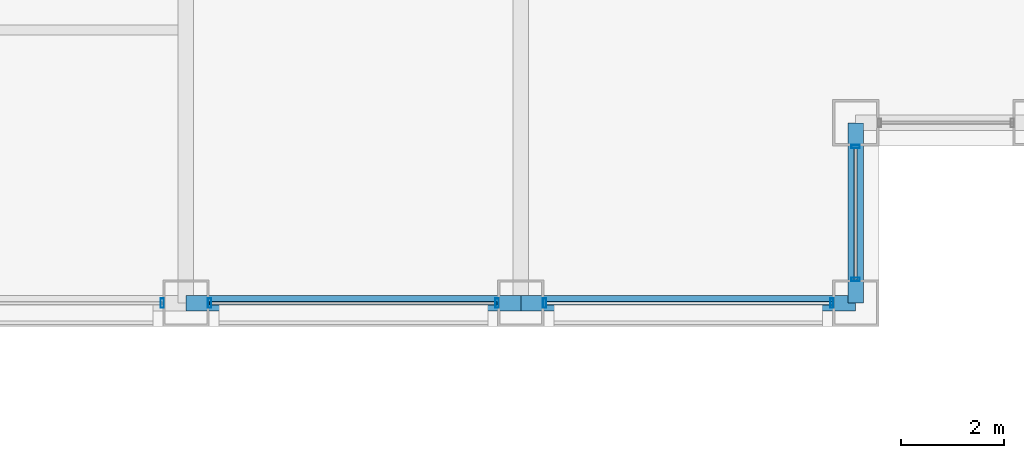
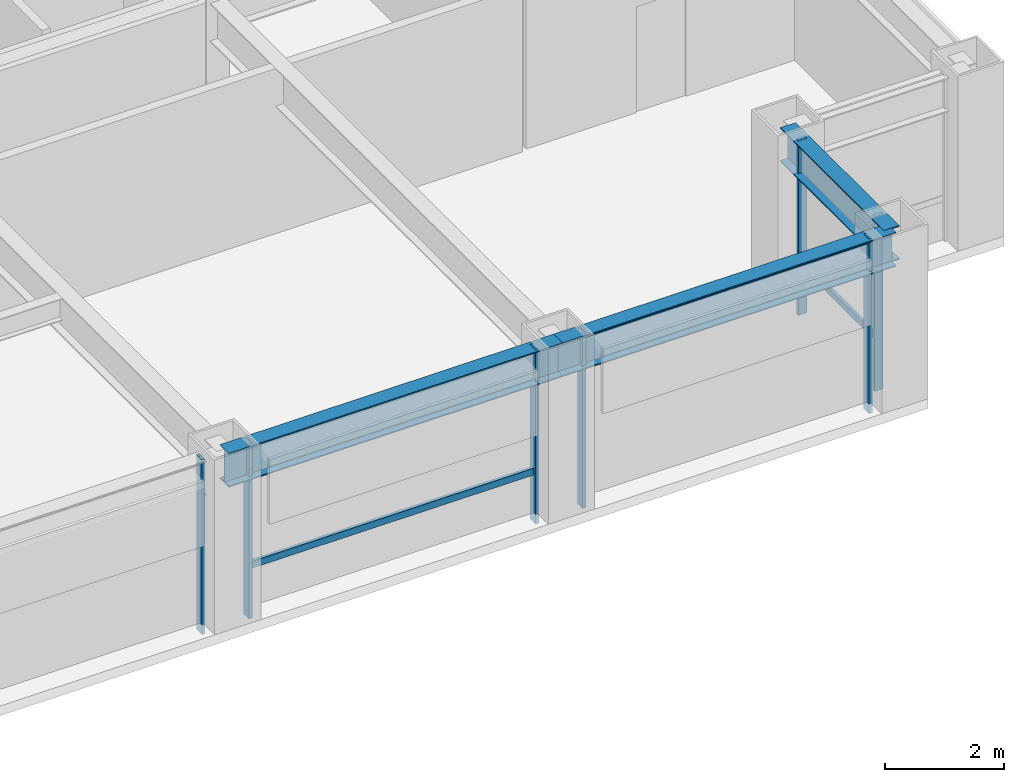
# One storey, part 8 of 28: 10 members, 3 beams, 4 elements without a shape of their own.
"""IFC4 building model written with IfcOpenShell, lengths in metres."""

import ifcopenshell
import ifcopenshell.guid

model = None  # the IFC model being written
_history = None  # IfcOwnerHistory: only IFC2X3 demands one
_inside = {}  # id of a spatial element -> (the spatial element, [elements in it])
_under = {}  # id of a project, library or spatial element -> (it, [spatial elements below it])
_declared = {}  # id of a project -> (the project, [libraries it declares])
_typed = {}  # id of a type object -> (the type object, [elements of that type])
_made_of = {}  # id of a material, layer set ... -> (it, [elements and type objects made of it])


def new_model(schema):
    """Start an empty IFC model of exactly this schema.

    Asked for "IFC4X3", IfcOpenShell would pick the latest addendum, in which some entities
    have other attributes; the version numbers below select the first issue.
    IFC2X3 requires an IfcOwnerHistory on every rooted entity: one is made here for all.
    """
    global model, _history
    if schema == "IFC4X3":
        model = ifcopenshell.file(schema_version=(4, 3, 0, 0))
    else:
        model = ifcopenshell.file(schema=schema)
    _inside.clear()
    _under.clear()
    _declared.clear()
    _typed.clear()
    _made_of.clear()
    _history = None
    if model.schema == "IFC2X3":
        org = make("IfcOrganization", Name="unknown")
        user = make(
            "IfcPersonAndOrganization",
            ThePerson=make("IfcPerson", FamilyName="unknown"),
            TheOrganization=org,
        )
        app = make(
            "IfcApplication",
            ApplicationDeveloper=org,
            Version="unknown",
            ApplicationFullName="unknown",
            ApplicationIdentifier="unknown",
        )
        _history = make(
            "IfcOwnerHistory",
            OwningUser=user,
            OwningApplication=app,
            ChangeAction="ADDED",
            CreationDate=0,
        )
    return model


def make(cls, **values):
    """One entity of the class cls with the attributes given. An attribute that is None is left unset."""
    return model.create_entity(
        cls, **{name: value for name, value in values.items() if value is not None}
    )


def rooted(cls, **values):
    """An entity with a GlobalId (a new one), such as an element, a storey or a relation."""
    return make(cls, GlobalId=ifcopenshell.guid.new(), OwnerHistory=_history, **values)


def si_unit(unit_type, name, prefix=None):
    """IfcSIUnit, for example si_unit("LENGTHUNIT", "METRE", prefix="MILLI")."""
    return make("IfcSIUnit", UnitType=unit_type, Prefix=prefix, Name=name)


def assignment(units):
    """IfcUnitAssignment: the units of a project."""
    return None if units is None else make("IfcUnitAssignment", Units=units)


def point(xyz):
    """IfcCartesianPoint."""
    return None if xyz is None else make("IfcCartesianPoint", Coordinates=xyz)


def direction(xyz):
    """IfcDirection."""
    return None if xyz is None else make("IfcDirection", DirectionRatios=xyz)


def frame(location, z_axis=None, x_axis=None):
    """IfcAxis2Placement3D, a coordinate frame: its origin and axes. An axis left out is left unset."""
    return make(
        "IfcAxis2Placement3D",
        Location=point(location),
        Axis=direction(z_axis),
        RefDirection=direction(x_axis),
    )


def frame_2d(location, x_axis=None):
    """IfcAxis2Placement2D, a coordinate frame in the plane: its origin and x axis."""
    return make(
        "IfcAxis2Placement2D", Location=point(location), RefDirection=direction(x_axis)
    )


def origin():
    """The frame at (0, 0, 0) with its axes left unset."""
    return frame((0.0, 0.0, 0.0))


def origin_2d():
    """The frame at (0, 0) in the plane with its x axis left unset."""
    return frame_2d((0.0, 0.0))


def place(relative_to, where):
    """IfcLocalPlacement: puts the frame where relative to a parent placement (None: the world)."""
    return make(
        "IfcLocalPlacement", PlacementRelTo=relative_to, RelativePlacement=where
    )


def context(
    kind, dimensions, precision=None, world=None, true_north=None, identifier=None
):
    """IfcGeometricRepresentationContext, for example the 3D "Model" context."""
    return make(
        "IfcGeometricRepresentationContext",
        ContextIdentifier=identifier,
        ContextType=kind,
        CoordinateSpaceDimension=dimensions,
        Precision=precision,
        WorldCoordinateSystem=world,
        TrueNorth=true_north,
    )


def subcontext(parent, identifier, kind, view, scale=None):
    """IfcGeometricRepresentationSubContext, for example "Body" below "Model"."""
    return make(
        "IfcGeometricRepresentationSubContext",
        ContextIdentifier=identifier,
        ContextType=kind,
        ParentContext=parent,
        TargetScale=scale,
        TargetView=view,
    )


def project(units=None, contexts=None):
    """IfcProject with its units and contexts."""
    return rooted(
        "IfcProject",
        Name="project",
        RepresentationContexts=contexts,
        UnitsInContext=assignment(units),
    )


def spatial(cls, under=None, at=None, **own):
    """A site, building, storey or space (cls), placed at a placement, below another one or the project."""
    s = rooted(cls, ObjectPlacement=at, **own)
    if under is not None:
        _under.setdefault(under.id(), (under, []))[1].append(s)
    return s


def profile(cls, at=None, kind="AREA", **sizes):
    """A parametric profile (cls). Its sizes go by their IFC names, for example OverallWidth=200.0."""
    return make(cls, ProfileType=kind, Position=at, **sizes)


def hollow_rectangle(**sizes):
    """IfcRectangleHollowProfileDef."""
    return profile("IfcRectangleHollowProfileDef", **sizes)


def i_section(**sizes):
    """IfcIShapeProfileDef."""
    return profile("IfcIShapeProfileDef", **sizes)


def extrude(swept, where, along, depth):
    """IfcExtrudedAreaSolid: the profile swept, set in the frame where, extruded along a direction by depth."""
    return make(
        "IfcExtrudedAreaSolid",
        SweptArea=swept,
        Position=where,
        ExtrudedDirection=direction(along),
        Depth=depth,
    )


def shape(context_of_items, identifier, shape_type, items):
    """IfcShapeRepresentation: the items that make up one representation, for example the "Body"."""
    return make(
        "IfcShapeRepresentation",
        ContextOfItems=context_of_items,
        RepresentationIdentifier=identifier,
        RepresentationType=shape_type,
        Items=items,
    )


def material(Name=None, Category=None):
    """IfcMaterial."""
    return make("IfcMaterial", Name=Name, Category=Category)


def layer(
    of_material, thickness, ventilated=None, Name=None, Category=None, Priority=None
):
    """IfcMaterialLayer: one layer of a wall or slab, of a material (None: an air gap)."""
    return make(
        "IfcMaterialLayer",
        Material=of_material,
        LayerThickness=thickness,
        IsVentilated=ventilated,
        Name=Name,
        Category=Category,
        Priority=Priority,
    )


def layer_set(layers, Name=None):
    """IfcMaterialLayerSet."""
    return make("IfcMaterialLayerSet", MaterialLayers=layers, LayerSetName=Name)


def material_profile(
    of_material, cross_section, Name=None, Category=None, Priority=None
):
    """IfcMaterialProfile: a cross section and its material."""
    return make(
        "IfcMaterialProfile",
        Name=Name,
        Material=of_material,
        Profile=cross_section,
        Priority=Priority,
        Category=Category,
    )


def profile_set(profiles, Name=None, composite=None):
    """IfcMaterialProfileSet."""
    return make(
        "IfcMaterialProfileSet",
        Name=Name,
        MaterialProfiles=profiles,
        CompositeProfile=composite,
    )


def made_of(thing, what):
    """Note that an element or type object is made of a material, layer set ...; save() writes the relation."""
    if what is not None:
        _made_of.setdefault(what.id(), (what, []))[1].append(thing)
    return thing


def type_object(cls, material=None, **own):
    """A type object (cls), such as IfcWallType, which elements share."""
    return made_of(rooted(cls, **own), material)


def element(
    cls,
    number,
    at=None,
    inside=None,
    cuts=None,
    type_object=None,
    material=None,
    context=None,
    identifier="Body",
    shape_type=None,
    held_by="IfcProductDefinitionShape",
    body=None,
    shapes=None,
    **own,
):
    """One element of the class cls, such as IfcWall. Its Tag is "e" and its number.

    at: its placement. inside: the storey or other place that contains it. cuts: it is an
    opening in that element (IfcRelVoidsElement). A single representation is given by context,
    identifier, shape_type and body (its items); several are given by shapes. held_by: the class
    of the entity that holds the representations. save() writes the other relations.
    """
    e = rooted(cls, Tag="e%d" % number, ObjectPlacement=at, **own)
    if body is not None:
        shapes = [shape(context, identifier, shape_type, body)]
    if shapes is not None:
        e.Representation = make(held_by, Representations=shapes)
    if inside is not None:
        _inside.setdefault(inside.id(), (inside, []))[1].append(e)
    if cuts is not None:
        rooted(
            "IfcRelVoidsElement", RelatingBuildingElement=cuts, RelatedOpeningElement=e
        )
    if type_object is not None:
        _typed.setdefault(type_object.id(), (type_object, []))[1].append(e)
    return made_of(e, material)


def aggregate(whole, parts):
    """IfcRelAggregates: a whole, such as a stair, and the parts it consists of."""
    return rooted("IfcRelAggregates", RelatingObject=whole, RelatedObjects=parts)


def save(model, path):
    """Write the relations noted so far, then the file.

    IfcRelAggregates (storeys below a building ...), IfcRelContainedInSpatialStructure (elements
    in a storey), IfcRelDefinesByType, IfcRelAssociatesMaterial and IfcRelDeclares: one each for
    every whole, place, type object, material and project.
    """
    for whole, parts in _under.values():
        aggregate(whole, parts)
    for where, things in _inside.values():
        rooted(
            "IfcRelContainedInSpatialStructure",
            RelatedElements=things,
            RelatingStructure=where,
        )
    for kind, things in _typed.values():
        rooted("IfcRelDefinesByType", RelatedObjects=things, RelatingType=kind)
    for what, things in _made_of.values():
        rooted("IfcRelAssociatesMaterial", RelatedObjects=things, RelatingMaterial=what)
    for by, libraries in _declared.values():
        rooted("IfcRelDeclares", RelatingContext=by, RelatedDefinitions=libraries)
    model.write(path)


model = new_model("IFC4")

# Units and contexts
model_context = context("Model", 3, precision=1e-05, world=origin(), true_north=direction((0.0, 1.0)))
body_context = subcontext(model_context, "Body", "Model", "MODEL_VIEW")
ifc_project = project(units=[si_unit("LENGTHUNIT", "METRE"), si_unit("AREAUNIT", "SQUARE_METRE"), si_unit("VOLUMEUNIT", "CUBIC_METRE"), si_unit("PLANEANGLEUNIT", "RADIAN"), si_unit("MASSUNIT", "GRAM", prefix="KILO")], contexts=[model_context])

# Site, building, storey
site_placement = place(None, origin())
site = spatial("IfcSite", under=ifc_project, at=site_placement, CompositionType="ELEMENT")
building_placement = place(site_placement, origin())
building = spatial("IfcBuilding", under=site, at=building_placement, Name="Brelmoor Portico Tower", CompositionType="ELEMENT")
storey_placement = place(building_placement, frame((0.0, 0.0, 70.800048828125)))
storey = spatial("IfcBuildingStorey", under=building, at=storey_placement, Name="L18", CompositionType="ELEMENT", Elevation=70.800048828125)

# Beams
ifc_material_1 = material(Name="Steel Q355B", Category="steel")
ifc_material_profile_1 = material_profile(ifc_material_1, i_section(OverallWidth=0.300048828125, OverallDepth=0.699951171875, WebThickness=0.012939453125, FlangeThickness=0.02392578125, at=origin_2d()), Name="HN 700x300x13x24")
ifc_profile_set_1 = profile_set([ifc_material_profile_1], Name="Steel Q355B")
beam_type = type_object("IfcBeamType", Name="BM-SP-700", PredefinedType="SPANDREL", material=ifc_profile_set_1)
for number, where, z_axis, x_axis, name in (
    (1, (8.050048828125, -21.550048828125, 3.050048828125), (1.0, 0.0, 0.0), (0.0, 1.0, 0.0), "L18 Perimeter Spandrel Beam SP-04"),
    (2, (14.550048828125, -21.550048828125, 3.050048828125), (1.0, 0.0, 0.0), (0.0, 1.0, 0.0), "L18 Perimeter Spandrel Beam SP-05"),
):
    element("IfcBeam", number, at=place(storey_placement, frame(where, z_axis=z_axis, x_axis=x_axis)), inside=storey, type_object=beam_type, Name=name, PredefinedType="SPANDREL", context=body_context, shape_type="SweptSolid", body=[
        extrude(i_section(OverallWidth=0.300048828125, OverallDepth=0.699951171875, WebThickness=0.012939453125, FlangeThickness=0.02392578125, at=origin_2d()), origin(), (0.0, 0.0, 1.0), 6.5),
    ])
beam_placement = place(storey_placement, frame((21.050048828125, -21.550048828125, 3.050048828125), z_axis=(0.0, 1.0, 0.0), x_axis=(-1.0, 0.0, 0.0)))
element("IfcBeam", 3, at=beam_placement, inside=storey, type_object=beam_type, Name="L18 Perimeter Spandrel Beam SP-20", PredefinedType="SPANDREL", context=body_context, shape_type="SweptSolid", body=[
    extrude(i_section(OverallWidth=0.300048828125, OverallDepth=0.699951171875, WebThickness=0.012939453125, FlangeThickness=0.02392578125, at=origin_2d()), origin(), (0.0, 0.0, 1.0), 3.5),
])

# Curtain wall, members
ifc_material_2 = material(Name="Anodised Aluminium Alloy 6063-T6", Category="aluminium")
ifc_layer_1 = layer(ifc_material_2, 0.179931640625)
ifc_layer_set_1 = layer_set([ifc_layer_1], Name="Anodised Aluminium Alloy 6063-T6")
curtain_wall_type_1 = type_object("IfcCurtainWallType", Name="CW-NOTCH-CHAMFER", PredefinedType="NOTDEFINED", material=ifc_layer_set_1)
curtain_wall_1_placement = place(storey_placement, origin())
curtain_wall_1 = element("IfcCurtainWall", 4, at=curtain_wall_1_placement, inside=storey, type_object=curtain_wall_type_1, Name="L18 Curtain Wall CWN-L18-SEV", PredefinedType="NOTDEFINED")
ifc_material_profile_2 = material_profile(ifc_material_2, hollow_rectangle(XDim=0.06494140625, YDim=0.1650390625, WallThickness=0.00390625, at=origin_2d()), Name="ALU MULLION 65x165")
ifc_profile_set_2 = profile_set([ifc_material_profile_2], Name="Anodised Aluminium Alloy 6063-T6")
member_type_1 = type_object("IfcMemberType", Name="MB-CW-MULL-165", PredefinedType="MULLION", material=ifc_profile_set_2)
member_1_placement = place(storey_placement, frame((21.050048828125, -21.090087890625, -0.199951171875), z_axis=(0.0, 0.0, 1.0), x_axis=(0.0, 1.0, 0.0)))
member_1 = element("IfcMember", 5, at=member_1_placement, type_object=member_type_1, Name="CWN-L18-SEV Mullion 00", PredefinedType="MULLION", context=body_context, shape_type="SweptSolid", body=[
    extrude(hollow_rectangle(XDim=0.06494140625, YDim=0.1650390625, WallThickness=0.00390625, at=origin_2d()), origin(), (0.0, 0.0, 1.0), 3.599853515625),
])
member_2_placement = place(storey_placement, frame((21.050048828125, -18.510009765625, -0.199951171875), z_axis=(0.0, 0.0, 1.0), x_axis=(0.0, 1.0, 0.0)))
member_2 = element("IfcMember", 6, at=member_2_placement, type_object=member_type_1, Name="CWN-L18-SEV Mullion 01", PredefinedType="MULLION", context=body_context, shape_type="SweptSolid", body=[
    extrude(hollow_rectangle(XDim=0.06494140625, YDim=0.1650390625, WallThickness=0.00390625, at=origin_2d()), origin(), (0.0, 0.0, 1.0), 3.599853515625),
])

# Curtain wall, member
ifc_layer_2 = layer(ifc_material_2, 0.179931640625)
ifc_layer_set_2 = layer_set([ifc_layer_2], Name="Anodised Aluminium Alloy 6063-T6")
curtain_wall_type_2 = type_object("IfcCurtainWallType", Name="CW-TOWER-Z1-XB", PredefinedType="NOTDEFINED", material=ifc_layer_set_2)
curtain_wall_2_placement = place(storey_placement, origin())
curtain_wall_2 = element("IfcCurtainWall", 7, at=curtain_wall_2_placement, inside=storey, type_object=curtain_wall_type_2, Name="L18 Curtain Wall CW-L18-1R-2", PredefinedType="NOTDEFINED")
ifc_material_profile_3 = material_profile(ifc_material_2, hollow_rectangle(XDim=0.06494140625, YDim=0.179931640625, WallThickness=0.00390625, at=origin_2d()), Name="ALU MULLION 65x180")
ifc_profile_set_3 = profile_set([ifc_material_profile_3], Name="Anodised Aluminium Alloy 6063-T6")
member_type_2 = type_object("IfcMemberType", Name="MB-CW-MULL-180", PredefinedType="MULLION", material=ifc_profile_set_3)
member_3_placement = place(storey_placement, frame((7.590087890625, -21.550048828125, -0.199951171875), z_axis=(0.0, 0.0, 1.0), x_axis=(1.0, 0.0, 0.0)))
member_3 = element("IfcMember", 8, at=member_3_placement, type_object=member_type_2, Name="CW-L18-1R-2 Mullion 01", PredefinedType="MULLION", context=body_context, shape_type="SweptSolid", body=[
    extrude(hollow_rectangle(XDim=0.06494140625, YDim=0.179931640625, WallThickness=0.00390625, at=origin_2d()), origin(), (0.0, 0.0, 1.0), 3.599853515625),
])
aggregate(curtain_wall_2, [member_3])

# Curtain wall, members
ifc_layer_3 = layer(ifc_material_2, 0.179931640625)
ifc_layer_set_3 = layer_set([ifc_layer_3], Name="Anodised Aluminium Alloy 6063-T6")
curtain_wall_type_3 = type_object("IfcCurtainWallType", Name="CW-TOWER-Z1", PredefinedType="NOTDEFINED", material=ifc_layer_set_3)
curtain_wall_3_placement = place(storey_placement, origin())
curtain_wall_3 = element("IfcCurtainWall", 9, at=curtain_wall_3_placement, inside=storey, type_object=curtain_wall_type_3, Name="L18 Curtain Wall CW-L18-1R-3", PredefinedType="NOTDEFINED")
member_4_placement = place(storey_placement, frame((8.510009765625, -21.550048828125, -0.199951171875), z_axis=(0.0, 0.0, 1.0), x_axis=(1.0, 0.0, 0.0)))
member_4 = element("IfcMember", 10, at=member_4_placement, type_object=member_type_2, Name="CW-L18-1R-3 Mullion 00", PredefinedType="MULLION", context=body_context, shape_type="SweptSolid", body=[
    extrude(hollow_rectangle(XDim=0.06494140625, YDim=0.179931640625, WallThickness=0.00390625, at=origin_2d()), origin(), (0.0, 0.0, 1.0), 3.599853515625),
])
member_5_placement = place(storey_placement, frame((14.090087890625, -21.550048828125, -0.199951171875), z_axis=(0.0, 0.0, 1.0), x_axis=(1.0, 0.0, 0.0)))
member_5 = element("IfcMember", 11, at=member_5_placement, type_object=member_type_2, Name="CW-L18-1R-3 Mullion 01", PredefinedType="MULLION", context=body_context, shape_type="SweptSolid", body=[
    extrude(hollow_rectangle(XDim=0.06494140625, YDim=0.179931640625, WallThickness=0.00390625, at=origin_2d()), origin(), (0.0, 0.0, 1.0), 3.599853515625),
])

curtain_wall_4_placement = place(storey_placement, origin())
curtain_wall_4 = element("IfcCurtainWall", 12, at=curtain_wall_4_placement, inside=storey, type_object=curtain_wall_type_2, Name="L18 Curtain Wall CW-L18-1R-4", PredefinedType="NOTDEFINED")
member_6_placement = place(storey_placement, frame((15.010009765625, -21.550048828125, -0.199951171875), z_axis=(0.0, 0.0, 1.0), x_axis=(1.0, 0.0, 0.0)))
member_6 = element("IfcMember", 13, at=member_6_placement, type_object=member_type_2, Name="CW-L18-1R-4 Mullion 00", PredefinedType="MULLION", context=body_context, shape_type="SweptSolid", body=[
    extrude(hollow_rectangle(XDim=0.06494140625, YDim=0.179931640625, WallThickness=0.00390625, at=origin_2d()), origin(), (0.0, 0.0, 1.0), 3.599853515625),
])
member_7_placement = place(storey_placement, frame((20.590087890625, -21.550048828125, -0.199951171875), z_axis=(0.0, 0.0, 1.0), x_axis=(1.0, 0.0, 0.0)))
member_7 = element("IfcMember", 14, at=member_7_placement, type_object=member_type_2, Name="CW-L18-1R-4 Mullion 01", PredefinedType="MULLION", context=body_context, shape_type="SweptSolid", body=[
    extrude(hollow_rectangle(XDim=0.06494140625, YDim=0.179931640625, WallThickness=0.00390625, at=origin_2d()), origin(), (0.0, 0.0, 1.0), 3.599853515625),
])

# Member
ifc_material_profile_4 = material_profile(ifc_material_2, hollow_rectangle(XDim=0.06005859375, YDim=0.125, WallThickness=0.00341796875, at=origin_2d()), Name="ALU TRANSOM 60x125")
ifc_profile_set_4 = profile_set([ifc_material_profile_4], Name="Anodised Aluminium Alloy 6063-T6")
member_type_3 = type_object("IfcMemberType", Name="MB-CW-TRAN-125", PredefinedType="USERDEFINED", material=ifc_profile_set_4)
member_8_placement = place(storey_placement, frame((21.050048828125, -21.090087890625, 0.849853515625), z_axis=(0.0, 1.0, 0.0), x_axis=(-1.0, 0.0, 0.0)))
member_8 = element("IfcMember", 15, at=member_8_placement, type_object=member_type_3, Name="CWN-L18-SEV Transom 1-00", ObjectType="TRANSOM", PredefinedType="USERDEFINED", context=body_context, shape_type="SweptSolid", body=[
    extrude(hollow_rectangle(XDim=0.06005859375, YDim=0.125, WallThickness=0.00341796875, at=origin_2d()), origin(), (0.0, 0.0, 1.0), 2.580078125),
])

aggregate(curtain_wall_1, [member_1, member_2, member_8])

ifc_material_profile_5 = material_profile(ifc_material_2, hollow_rectangle(XDim=0.06494140625, YDim=0.139892578125, WallThickness=0.00390625, at=origin_2d()), Name="ALU TRANSOM 65x140")
ifc_profile_set_5 = profile_set([ifc_material_profile_5], Name="Anodised Aluminium Alloy 6063-T6")
member_type_4 = type_object("IfcMemberType", Name="MB-CW-TRAN-140", PredefinedType="USERDEFINED", material=ifc_profile_set_5)
member_9_placement = place(storey_placement, frame((8.510009765625, -21.550048828125, 0.849853515625), z_axis=(1.0, 0.0, 0.0), x_axis=(0.0, 1.0, 0.0)))
member_9 = element("IfcMember", 16, at=member_9_placement, type_object=member_type_4, Name="CW-L18-1R-3 Transom 1-00", ObjectType="TRANSOM", PredefinedType="USERDEFINED", context=body_context, shape_type="SweptSolid", body=[
    extrude(hollow_rectangle(XDim=0.06494140625, YDim=0.139892578125, WallThickness=0.00390625, at=origin_2d()), origin(), (0.0, 0.0, 1.0), 5.580078125),
])

aggregate(curtain_wall_3, [member_4, member_5, member_9])

member_10_placement = place(storey_placement, frame((15.010009765625, -21.550048828125, 3.329833984375), z_axis=(1.0, 0.0, 0.0), x_axis=(0.0, 1.0, 0.0)))
member_10 = element("IfcMember", 17, at=member_10_placement, type_object=member_type_4, Name="CW-L18-1R-4 Transom 1-00", ObjectType="TRANSOM", PredefinedType="USERDEFINED", context=body_context, shape_type="SweptSolid", body=[
    extrude(hollow_rectangle(XDim=0.06494140625, YDim=0.139892578125, WallThickness=0.00390625, at=origin_2d()), origin(), (0.0, 0.0, 1.0), 5.580078125),
])

aggregate(curtain_wall_4, [member_6, member_7, member_10])

save(model, "model.ifc")
